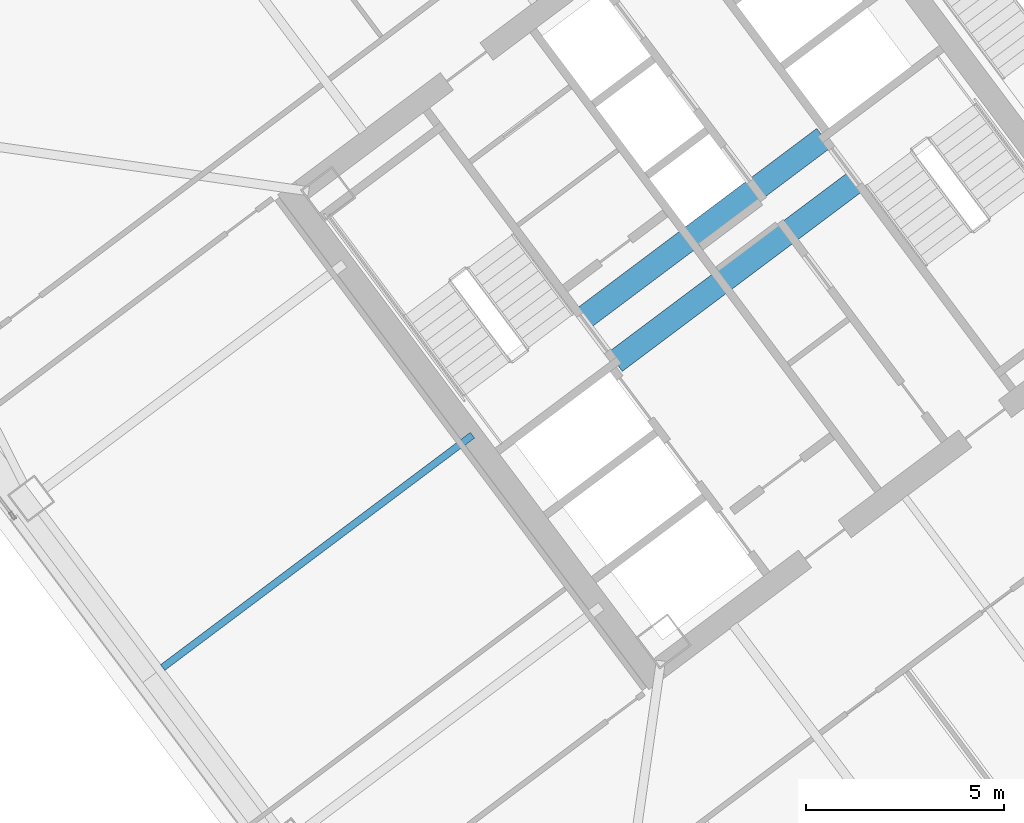
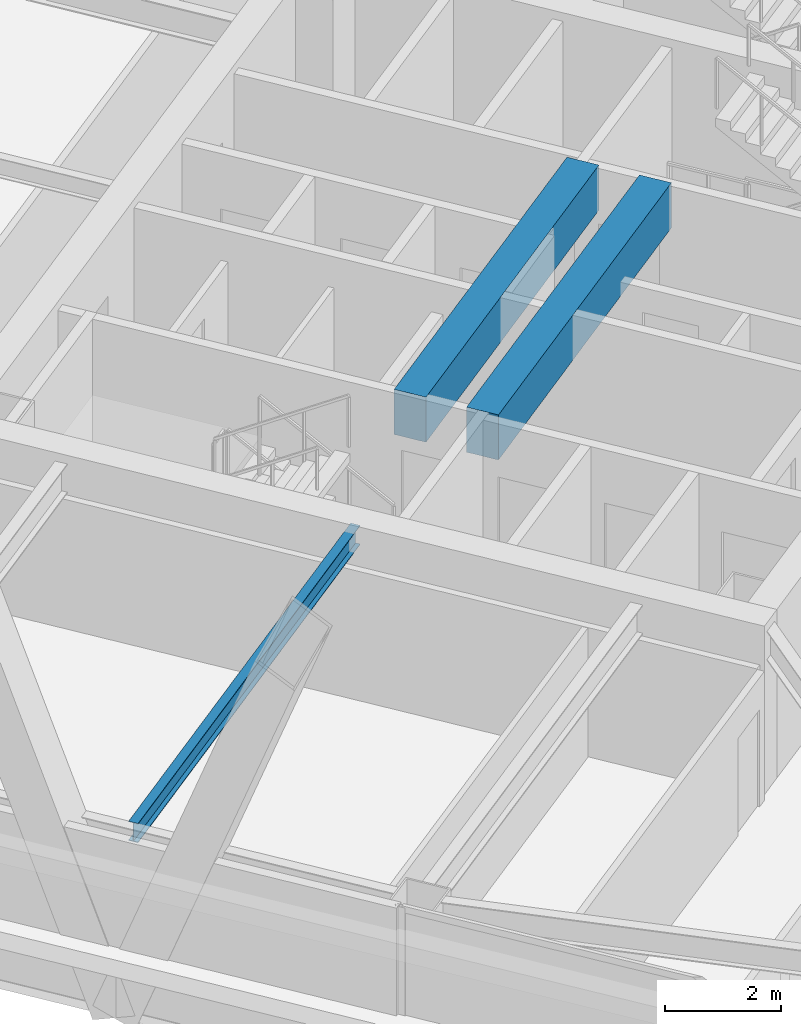
# One storey, part 26 of 50: 3 beams.
"""IFC4 building model written with IfcOpenShell, lengths in metres."""

from ifc_helpers import new_model, si_unit, direction, frame, origin, origin_2d, place, context, subcontext, project, spatial, rectangle, i_section, extrude, material, material_profile, profile_set, type_object, element, save


model = new_model("IFC4")

# Units and contexts
model_context = context("Model", 3, precision=1e-05, world=origin(), true_north=direction((0.0, 1.0)))
body_context = subcontext(model_context, "Body", "Model", "MODEL_VIEW")
ifc_project = project(units=[si_unit("LENGTHUNIT", "METRE"), si_unit("AREAUNIT", "SQUARE_METRE"), si_unit("VOLUMEUNIT", "CUBIC_METRE"), si_unit("PLANEANGLEUNIT", "RADIAN"), si_unit("MASSUNIT", "GRAM", prefix="KILO")], contexts=[model_context])

# Site, building, storey
site_placement = place(None, origin())
site = spatial("IfcSite", under=ifc_project, at=site_placement, CompositionType="ELEMENT")
building_placement = place(site_placement, origin())
building = spatial("IfcBuilding", under=site, at=building_placement, Name="Tashvorn Skyway Center", CompositionType="ELEMENT")
storey_placement = place(building_placement, frame((0.0, 0.0, 114.39990234375)))
storey = spatial("IfcBuildingStorey", under=building, at=storey_placement, Name="L30", CompositionType="ELEMENT", Elevation=114.39990234375)

# Beams
ifc_material_1 = material(Name="Steel ASTM A992 Grade 50", Category="steel")
ifc_material_profile_1 = material_profile(ifc_material_1, i_section(OverallWidth=0.177978515625, OverallDepth=0.406005859375, WebThickness=0.0078125, FlangeThickness=0.0126953125, at=origin_2d()), Name="W16X40")
ifc_profile_set_1 = profile_set([ifc_material_profile_1], Name="Steel ASTM A992 Grade 50")
beam_type_1 = type_object("IfcBeamType", Name="BM-JOIST-W16X40", PredefinedType="JOIST", material=ifc_profile_set_1)
beam_placement = place(storey_placement, frame((107.76806640625, 27.325927734375, 3.1669921875), z_axis=(-0.800006001881, -0.599991997409, 0.0), x_axis=(0.599991997409, -0.800006001881, 0.0)))
element("IfcBeam", 1, at=beam_placement, inside=storey, type_object=beam_type_1, Name="Tower 2 L30 Secondary Composite Joist JW", PredefinedType="JOIST", context=body_context, shape_type="SweptSolid", body=[
    extrude(i_section(OverallWidth=0.177978515625, OverallDepth=0.406005859375, WebThickness=0.0078125, FlangeThickness=0.0126953125, at=origin_2d()), origin(), (0.0, 0.0, 1.0), 9.762451171875),
])
ifc_material_2 = material(Name="Concrete C60/75", Category="concrete")
ifc_material_profile_2 = material_profile(ifc_material_2, rectangle(XDim=0.60009765625, YDim=0.949951171875, at=origin_2d()), Name="RCB600x950")
ifc_profile_set_2 = profile_set([ifc_material_profile_2], Name="Concrete C60/75")
beam_type_2 = type_object("IfcBeamType", Name="BM-LINTEL-RCB600x950", PredefinedType="LINTEL", material=ifc_profile_set_2)
for number, where, z_axis, x_axis, name in (
    (2, (110.552001953125, 30.263916015625, 2.89501953125), (0.8, 0.6, 0.0), (-0.6, 0.8, 0.0), "Tower 2 L30 Core Coupling Beam CN"),
    (3, (111.367919921875, 29.176025390625, 2.89501953125), (0.8, 0.6, 0.0), (-0.6, 0.8, 0.0), "Tower 2 L30 Core Coupling Beam CS"),
):
    element("IfcBeam", number, at=place(storey_placement, frame(where, z_axis=z_axis, x_axis=x_axis)), inside=storey, type_object=beam_type_2, Name=name, PredefinedType="LINTEL", context=body_context, shape_type="SweptSolid", body=[
        extrude(rectangle(XDim=0.60009765625, YDim=0.949951171875, at=origin_2d()), origin(), (0.0, 0.0, 1.0), 7.60009765625),
    ])

save(model, "model.ifc")
